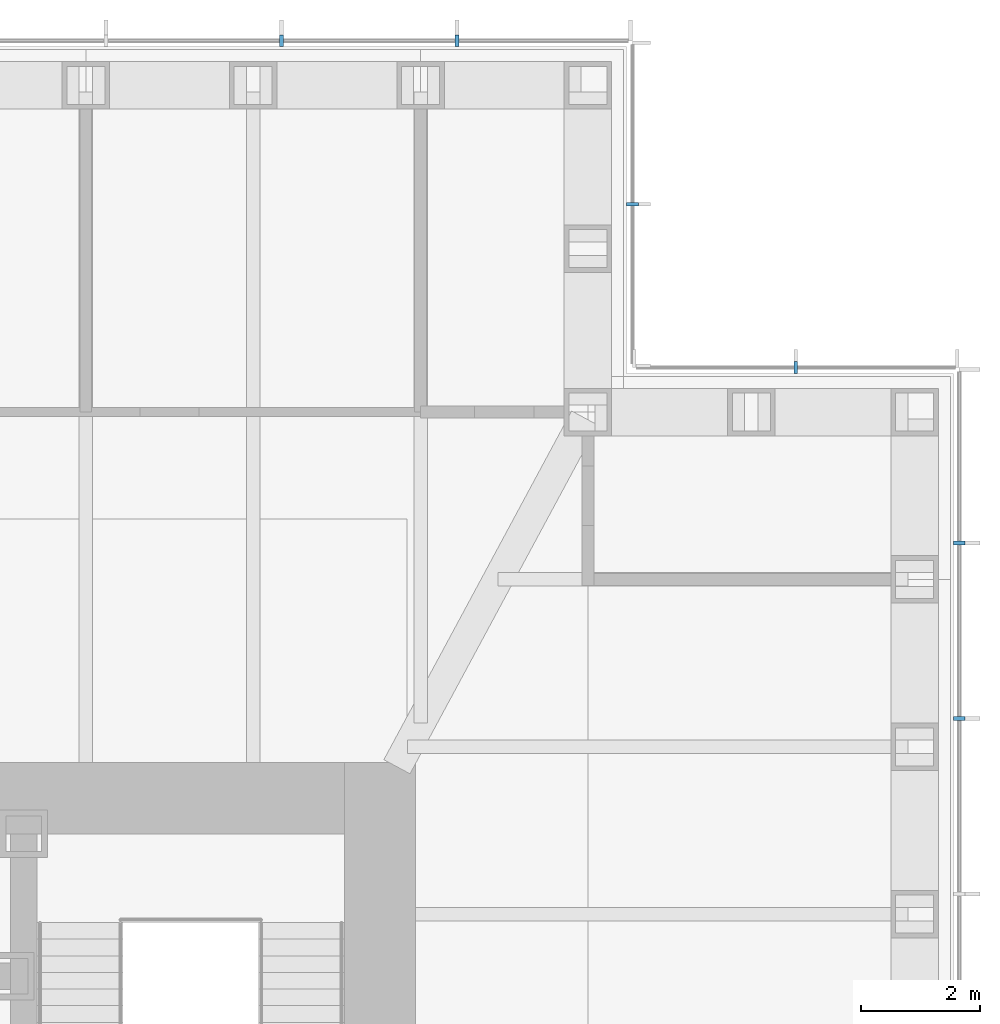
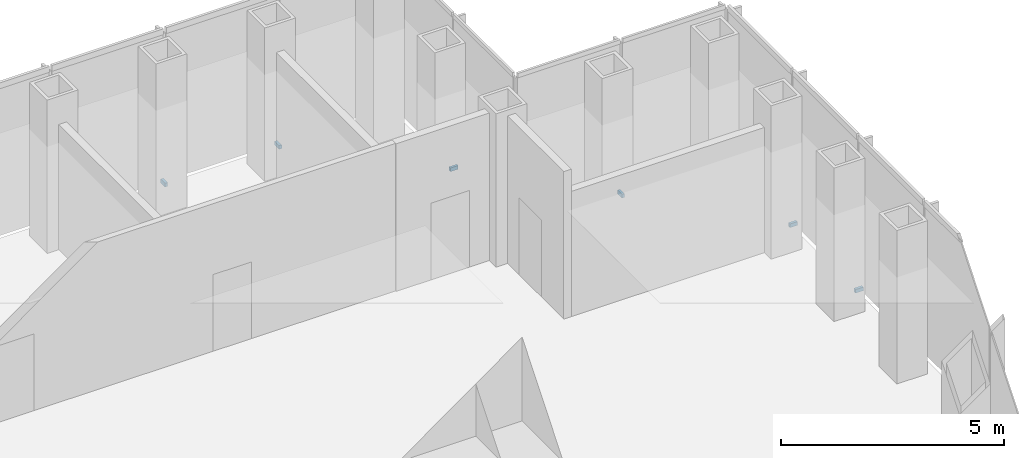
# One storey, part 16 of 17: 6 discrete accessories.
"""IFC4 building model written with IfcOpenShell, lengths in metres."""

from ifc_helpers import new_model, si_unit, direction, frame, origin, origin_2d, place, context, subcontext, project, spatial, rectangle, extrude, element, save


model = new_model("IFC4")

# Units and contexts
model_context = context("Model", 3, precision=1e-05, world=origin(), true_north=direction((0.0, 1.0)))
body_context = subcontext(model_context, "Body", "Model", "MODEL_VIEW")
ifc_project = project(units=[si_unit("LENGTHUNIT", "METRE"), si_unit("AREAUNIT", "SQUARE_METRE"), si_unit("VOLUMEUNIT", "CUBIC_METRE"), si_unit("PLANEANGLEUNIT", "RADIAN"), si_unit("MASSUNIT", "GRAM", prefix="KILO")], contexts=[model_context])

# Site, building, storey
site_placement = place(None, origin())
site = spatial("IfcSite", under=ifc_project, at=site_placement, CompositionType="ELEMENT")
building_placement = place(site_placement, origin())
building = spatial("IfcBuilding", under=site, at=building_placement, Name="Daluyong Arena Tower", CompositionType="ELEMENT")
storey_placement = place(building_placement, frame((0.0, 0.0, 223.300048828125)))
storey = spatial("IfcBuildingStorey", under=building, at=storey_placement, Name="L50", CompositionType="ELEMENT", Elevation=223.300048828125)

# Discrete accessories
for number, where, z_axis, x_axis, name in (
    (1, (77.75, 90.3408203125, -0.10009765625), (0.0, 0.0, 1.0), (0.0, 1.0, 0.0), "curtain wall L50 E anchor bracket 10"),
    (2, (77.75, 93.29541015625, -0.10009765625), (0.0, 0.0, 1.0), (0.0, 1.0, 0.0), "curtain wall L50 E anchor bracket 11"),
):
    element("IfcDiscreteAccessory", number, at=place(storey_placement, frame(where, z_axis=z_axis, x_axis=x_axis)), inside=storey, Name=name, PredefinedType="BRACKET", context=body_context, shape_type="SweptSolid", body=[
        extrude(rectangle(XDim=0.070068359375, YDim=0.199951171875, at=origin_2d()), origin(), (0.0, 0.0, 1.0), 0.10009765625),
    ])
for number, where, z_axis, x_axis, name in (
    (3, (75.0, 96.25, -0.10009765625), (0.0, 0.0, 1.0), (-1.0, 0.0, 0.0), "curtain wall L50 NE-N anchor bracket 2"),
    (4, (72.25, 99.0, -0.10009765625), (0.0, 0.0, 1.0), (0.0, 1.0, 0.0), "curtain wall L50 NE-E anchor bracket 2"),
):
    element("IfcDiscreteAccessory", number, at=place(storey_placement, frame(where, z_axis=z_axis, x_axis=x_axis)), inside=storey, Name=name, PredefinedType="BRACKET", context=body_context, shape_type="SweptSolid", body=[
        extrude(rectangle(XDim=0.06005859375, YDim=0.199951171875, at=origin_2d()), origin(), (0.0, 0.0, 1.0), 0.10009765625),
    ])
for number, where, z_axis, x_axis, name in (
    (5, (69.29541015625, 101.75, -0.10009765625), (0.0, 0.0, 1.0), (-1.0, 0.0, 0.0), "curtain wall L50 N anchor bracket 2"),
    (6, (66.3408203125, 101.75, -0.10009765625), (0.0, 0.0, 1.0), (-1.0, 0.0, 0.0), "curtain wall L50 N anchor bracket 3"),
):
    element("IfcDiscreteAccessory", number, at=place(storey_placement, frame(where, z_axis=z_axis, x_axis=x_axis)), inside=storey, Name=name, PredefinedType="BRACKET", context=body_context, shape_type="SweptSolid", body=[
        extrude(rectangle(XDim=0.070068359375, YDim=0.199951171875, at=origin_2d()), origin(), (0.0, 0.0, 1.0), 0.10009765625),
    ])

save(model, "model.ifc")
